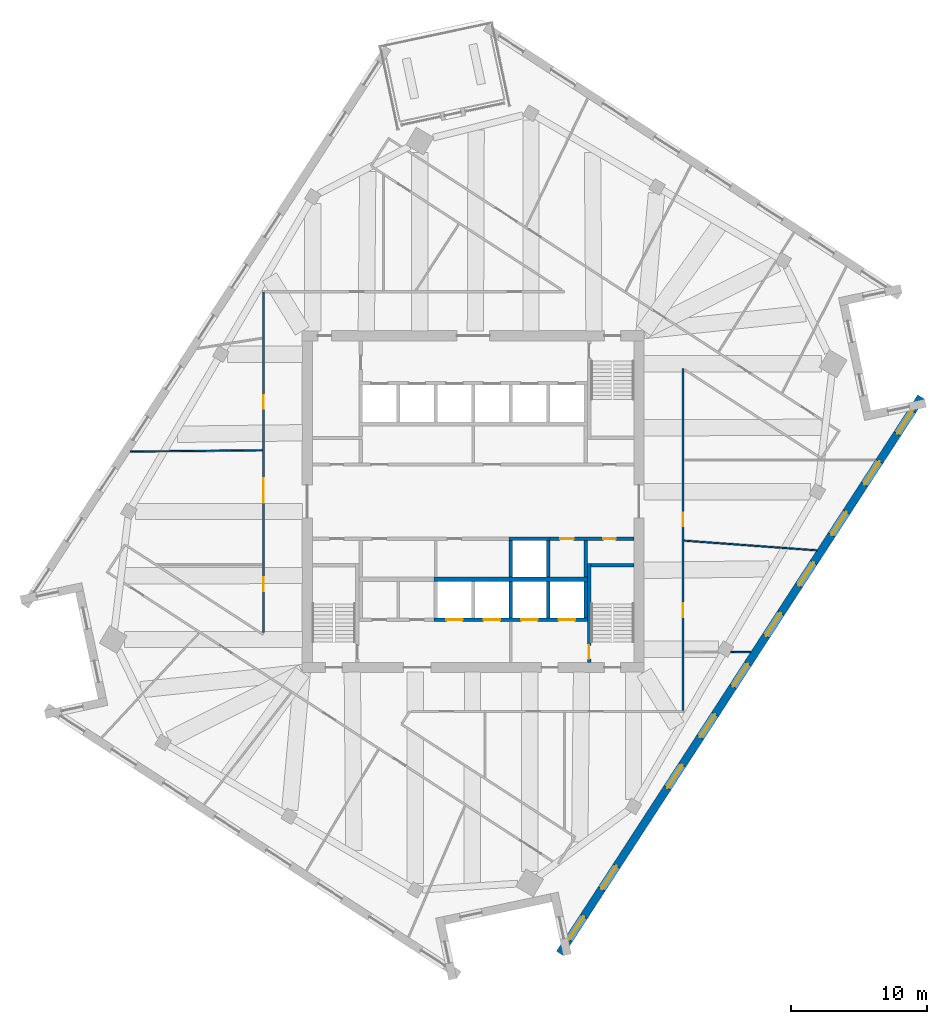
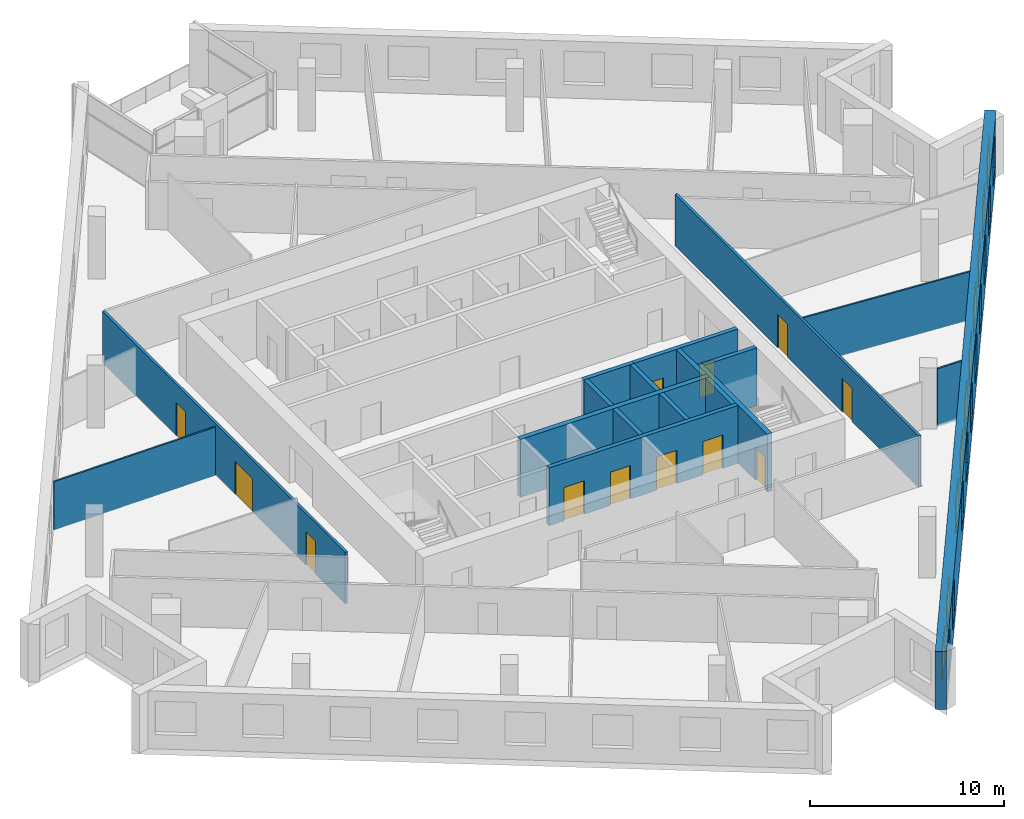
# One storey, part 7 of 12: 18 walls, 12 doors, 10 windows, 22 openings.
"""IFC4 building model written with IfcOpenShell, lengths in metres."""

from ifc_helpers import new_model, si_unit, direction, frame, frame_2d, origin, place, context, subcontext, project, spatial, rectangle, extrude, material, layer, layer_set, type_object, element, fill, save


model = new_model("IFC4")

# Units and contexts
model_context = context("Model", 3, precision=1e-05, world=origin(), true_north=direction((0.0, 1.0)))
body_context = subcontext(model_context, "Body", "Model", "MODEL_VIEW")
ifc_project = project(units=[si_unit("LENGTHUNIT", "METRE"), si_unit("AREAUNIT", "SQUARE_METRE"), si_unit("VOLUMEUNIT", "CUBIC_METRE"), si_unit("PLANEANGLEUNIT", "RADIAN"), si_unit("MASSUNIT", "GRAM", prefix="KILO")], contexts=[model_context])

# Site, building, storey
site_placement = place(None, origin())
site = spatial("IfcSite", under=ifc_project, at=site_placement, CompositionType="ELEMENT")
building_placement = place(site_placement, origin())
building = spatial("IfcBuilding", under=site, at=building_placement, Name="Dilmun Exchange Tower", CompositionType="ELEMENT")
storey_placement = place(building_placement, frame((0.0, 0.0, 254.89990234375)))
storey = spatial("IfcBuildingStorey", under=building, at=storey_placement, Name="L60", CompositionType="ELEMENT", Elevation=254.89990234375)

# Wall
ifc_material_1 = material(Name="Concrete C40/50", Category="concrete")
ifc_layer_1 = layer(ifc_material_1, 0.25)
ifc_layer_set_1 = layer_set([ifc_layer_1], Name="Concrete C40/50")
wall_type_1 = type_object("IfcWallType", Name="Core partition wall 250", PredefinedType="PARTITIONING", material=ifc_layer_set_1)
wall_1_placement = place(storey_placement, frame((8.25, -5.544921875, 0.0), z_axis=(0.0, 0.0, 1.0), x_axis=(0.0, 1.0, 0.0)))
element("IfcWall", 1, at=wall_1_placement, inside=storey, type_object=wall_type_1, Name="L60 core partition wall 08", PredefinedType="PARTITIONING", context=body_context, shape_type="SweptSolid", body=[
    extrude(rectangle(XDim=2.68994140625, YDim=0.25, at=frame_2d((1.344970703125, 0.0))), origin(), (0.0, 0.0, 1.0), 3.64013671875),
])

# Wall, openings, doors
wall_2_placement = place(storey_placement, frame((5.6298828125, -2.72509765625, 0.0), z_axis=(0.0, 0.0, 1.0), x_axis=(1.0, 0.0, 0.0)))
wall_2 = element("IfcWall", 2, at=wall_2_placement, inside=storey, type_object=wall_type_1, Name="L60 core partition wall 10", PredefinedType="PARTITIONING", context=body_context, shape_type="SweptSolid", body=[
    extrude(rectangle(XDim=6.1650390625, YDim=0.25, at=frame_2d((3.08251953125, 0.0))), origin(), (0.0, 0.0, 1.0), 3.64013671875),
])
opening_1_placement = place(wall_2_placement, frame((0.7451171875, 0.0, 0.0)))
opening_1 = element("IfcOpeningElement", 3, at=opening_1_placement, cuts=wall_2, Name="Opening CD4", PredefinedType="OPENING", context=body_context, shape_type="SweptSolid", body=[
    extrude(rectangle(XDim=1.0, YDim=2.10009765625, at=frame_2d((0.5, 1.050048828125))), frame((0.0, 0.135009765625, 0.0), z_axis=(0.0, -1.0, 0.0), x_axis=(1.0, 0.0, 0.0)), (0.0, 0.0, 1.0), 0.27001953125),
])
opening_2_placement = place(wall_2_placement, frame((3.919921875, 0.0, 0.0)))
opening_2 = element("IfcOpeningElement", 4, at=opening_2_placement, cuts=wall_2, Name="Opening CD6", PredefinedType="OPENING", context=body_context, shape_type="SweptSolid", body=[
    extrude(rectangle(XDim=0.89990234375, YDim=2.10009765625, at=frame_2d((0.449951171875, 1.050048828125))), frame((0.0, 0.135009765625, 0.0), z_axis=(0.0, -1.0, 0.0), x_axis=(1.0, 0.0, 0.0)), (0.0, 0.0, 1.0), 0.27001953125),
])
ifc_material_2 = material(Name="Fire-rated steel door set", Category="steel")
door_type_1 = type_object("IfcDoorType", Name="Core room door 1000x2100", OperationType="SINGLE_SWING_LEFT", PredefinedType="DOOR", material=ifc_material_2)
door_1_placement = place(opening_1_placement, origin())
door_1 = element("IfcDoor", 5, at=door_1_placement, inside=storey, type_object=door_type_1, Name="L60 door Cleaners' store", OperationType="SINGLE_SWING_LEFT", OverallHeight=2.10009765625, OverallWidth=1.0, PredefinedType="DOOR", context=body_context, shape_type="SweptSolid", body=[
    extrude(rectangle(XDim=1.0, YDim=2.10009765625, at=frame_2d((0.5, 1.050048828125))), frame((0.0, 0.02490234375, 0.0), z_axis=(0.0, -1.0, 0.0), x_axis=(1.0, 0.0, 0.0)), (0.0, 0.0, 1.0), 0.050048828125),
])
fill(opening_1, door_1)
door_type_2 = type_object("IfcDoorType", Name="Core room door 900x2100", OperationType="SINGLE_SWING_LEFT", PredefinedType="DOOR", material=ifc_material_2)
door_2_placement = place(opening_2_placement, origin())
door_2 = element("IfcDoor", 6, at=door_2_placement, inside=storey, type_object=door_type_2, Name="L60 door Comms riser", OperationType="SINGLE_SWING_LEFT", OverallHeight=2.10009765625, OverallWidth=0.89990234375, PredefinedType="DOOR", context=body_context, shape_type="SweptSolid", body=[
    extrude(rectangle(XDim=0.89990234375, YDim=2.10009765625, at=frame_2d((0.449951171875, 1.050048828125))), frame((0.0, 0.02490234375, 0.0), z_axis=(0.0, -1.0, 0.0), x_axis=(1.0, 0.0, 0.0)), (0.0, 0.0, 1.0), 0.050048828125),
])
fill(opening_2, door_2)

ifc_material_3 = material(Name="Corridor wall 150")
ifc_layer_2 = layer(ifc_material_3, 0.14990234375)
ifc_layer_set_2 = layer_set([ifc_layer_2], Name="Corridor wall 150")
wall_type_2 = type_object("IfcWallType", Name="Corridor wall 150", PredefinedType="PARTITIONING", material=ifc_layer_set_2)
wall_3_placement = place(storey_placement, frame((-15.39990234375, -9.618896484375, 0.0), z_axis=(0.0, 0.0, 1.0), x_axis=(0.0, 1.0, 0.0)))
wall_3 = element("IfcWall", 7, at=wall_3_placement, inside=storey, type_object=wall_type_2, Name="Corridor wall", PredefinedType="PARTITIONING", context=body_context, shape_type="SweptSolid", body=[
    extrude(rectangle(XDim=25.018798828125, YDim=0.14990234375, at=frame_2d((12.50927734375, 0.0))), origin(), (0.0, 0.0, 1.0), 3.239990234375),
])
opening_3_placement = place(wall_3_placement, frame((9.53173828125, 0.0, 0.0)))
opening_3 = element("IfcOpeningElement", 8, at=opening_3_placement, cuts=wall_3, Name="Opening TF60-D01", PredefinedType="OPENING", context=body_context, shape_type="SweptSolid", body=[
    extrude(rectangle(XDim=1.800048828125, YDim=2.10009765625, at=frame_2d((0.89990234375, 1.050048828125))), frame((0.0, 0.0849609375, 0.0), z_axis=(0.0, -1.0, 0.0), x_axis=(1.0, 0.0, 0.0)), (0.0, 0.0, 1.0), 0.169921875),
])
opening_4_placement = place(wall_3_placement, frame((16.4365234375, 0.0, 0.0)))
opening_4 = element("IfcOpeningElement", 9, at=opening_4_placement, cuts=wall_3, Name="Opening TF60-D04", PredefinedType="OPENING", context=body_context, shape_type="SweptSolid", body=[
    extrude(rectangle(XDim=1.0, YDim=2.10009765625, at=frame_2d((0.5, 1.050048828125))), frame((0.0, 0.0849609375, 0.0), z_axis=(0.0, -1.0, 0.0), x_axis=(1.0, 0.0, 0.0)), (0.0, 0.0, 1.0), 0.169921875),
])
opening_5_placement = place(wall_3_placement, frame((3.050048828125, 0.0, 0.0)))
opening_5 = element("IfcOpeningElement", 10, at=opening_5_placement, cuts=wall_3, Name="Opening TF60-D05", PredefinedType="OPENING", context=body_context, shape_type="SweptSolid", body=[
    extrude(rectangle(XDim=1.0, YDim=2.10009765625, at=frame_2d((0.5, 1.050048828125))), frame((0.0, 0.0849609375, 0.0), z_axis=(0.0, -1.0, 0.0), x_axis=(1.0, 0.0, 0.0)), (0.0, 0.0, 1.0), 0.169921875),
])
ifc_material_4 = material(Name="Fire door 1000 x 2100")
door_type_3 = type_object("IfcDoorType", Name="Fire door 1000 x 2100", OperationType="NOTDEFINED", PredefinedType="DOOR", material=ifc_material_4)
door_3_placement = place(opening_4_placement, origin())
door_3 = element("IfcDoor", 11, at=door_3_placement, inside=storey, type_object=door_type_3, Name="Door TF60-D04", OperationType="SINGLE_SWING_LEFT", OverallHeight=2.10009765625, OverallWidth=1.0, PredefinedType="DOOR", context=body_context, shape_type="SweptSolid", body=[
    extrude(rectangle(XDim=1.0, YDim=2.10009765625, at=frame_2d((0.5, 1.050048828125))), frame((0.0, 0.02490234375, 0.0), z_axis=(0.0, -1.0, 0.0), x_axis=(1.0, 0.0, 0.0)), (0.0, 0.0, 1.0), 0.050048828125),
])
fill(opening_4, door_3)
door_4_placement = place(opening_5_placement, origin())
door_4 = element("IfcDoor", 12, at=door_4_placement, inside=storey, type_object=door_type_3, Name="Door TF60-D05", OperationType="SINGLE_SWING_LEFT", OverallHeight=2.10009765625, OverallWidth=1.0, PredefinedType="DOOR", context=body_context, shape_type="SweptSolid", body=[
    extrude(rectangle(XDim=1.0, YDim=2.10009765625, at=frame_2d((0.5, 1.050048828125))), frame((0.0, 0.02490234375, 0.0), z_axis=(0.0, -1.0, 0.0), x_axis=(1.0, 0.0, 0.0)), (0.0, 0.0, 1.0), 0.050048828125),
])
fill(opening_5, door_4)
ifc_material_5 = material(Name="Fire door pair 1800 x 2100")
door_type_4 = type_object("IfcDoorType", Name="Fire door pair 1800 x 2100", OperationType="NOTDEFINED", PredefinedType="DOOR", material=ifc_material_5)
door_5_placement = place(opening_3_placement, origin())
door_5 = element("IfcDoor", 13, at=door_5_placement, inside=storey, type_object=door_type_4, Name="Door TF60-D01", OperationType="DOUBLE_DOOR_SINGLE_SWING", OverallHeight=2.10009765625, OverallWidth=1.800048828125, PredefinedType="DOOR", context=body_context, shape_type="SweptSolid", body=[
    extrude(rectangle(XDim=1.800048828125, YDim=2.10009765625, at=frame_2d((0.89990234375, 1.050048828125))), frame((0.0, 0.02490234375, 0.0), z_axis=(0.0, -1.0, 0.0), x_axis=(1.0, 0.0, 0.0)), (0.0, 0.0, 1.0), 0.050048828125),
])
fill(opening_3, door_5)

wall_4_placement = place(storey_placement, frame((15.39990234375, -15.324951171875, 0.0), z_axis=(0.0, 0.0, 1.0), x_axis=(0.0, 1.0, 0.0)))
wall_4 = element("IfcWall", 14, at=wall_4_placement, inside=storey, type_object=wall_type_2, Name="Corridor wall", PredefinedType="PARTITIONING", context=body_context, shape_type="SweptSolid", body=[
    extrude(rectangle(XDim=25.08203125, YDim=0.14990234375, at=frame_2d((12.541015625, 0.0))), origin(), (0.0, 0.0, 1.0), 3.239990234375),
])
opening_6_placement = place(wall_4_placement, frame((6.8466796875, 0.0, 0.0)))
opening_6 = element("IfcOpeningElement", 15, at=opening_6_placement, cuts=wall_4, Name="Opening TF60-D18", PredefinedType="OPENING", context=body_context, shape_type="SweptSolid", body=[
    extrude(rectangle(XDim=1.0, YDim=2.10009765625, at=frame_2d((0.5, 1.050048828125))), frame((0.0, 0.0849609375, 0.0), z_axis=(0.0, -1.0, 0.0), x_axis=(1.0, 0.0, 0.0)), (0.0, 0.0, 1.0), 0.169921875),
])
opening_7_placement = place(wall_4_placement, frame((13.51171875, 0.0, 0.0)))
opening_7 = element("IfcOpeningElement", 16, at=opening_7_placement, cuts=wall_4, Name="Opening TF60-D19", PredefinedType="OPENING", context=body_context, shape_type="SweptSolid", body=[
    extrude(rectangle(XDim=1.0, YDim=2.10009765625, at=frame_2d((0.5, 1.050048828125))), frame((0.0, 0.0849609375, 0.0), z_axis=(0.0, -1.0, 0.0), x_axis=(1.0, 0.0, 0.0)), (0.0, 0.0, 1.0), 0.169921875),
])
door_6_placement = place(opening_6_placement, frame((1.0, 0.0, 0.0), z_axis=(0.0, 0.0, 1.0), x_axis=(-1.0, 0.0, 0.0)))
door_6 = element("IfcDoor", 17, at=door_6_placement, inside=storey, type_object=door_type_3, Name="Door TF60-D18", OperationType="SINGLE_SWING_RIGHT", OverallHeight=2.10009765625, OverallWidth=1.0, PredefinedType="DOOR", context=body_context, shape_type="SweptSolid", body=[
    extrude(rectangle(XDim=1.0, YDim=2.10009765625, at=frame_2d((0.5, 1.050048828125))), frame((0.0, 0.02490234375, 0.0), z_axis=(0.0, -1.0, 0.0), x_axis=(1.0, 0.0, 0.0)), (0.0, 0.0, 1.0), 0.050048828125),
])
fill(opening_6, door_6)
door_7_placement = place(opening_7_placement, frame((1.0, 0.0, 0.0), z_axis=(0.0, 0.0, 1.0), x_axis=(-1.0, 0.0, 0.0)))
door_7 = element("IfcDoor", 18, at=door_7_placement, inside=storey, type_object=door_type_3, Name="Door TF60-D19", OperationType="SINGLE_SWING_LEFT", OverallHeight=2.10009765625, OverallWidth=1.0, PredefinedType="DOOR", context=body_context, shape_type="SweptSolid", body=[
    extrude(rectangle(XDim=1.0, YDim=2.10009765625, at=frame_2d((0.5, 1.050048828125))), frame((0.0, 0.02490234375, 0.0), z_axis=(0.0, -1.0, 0.0), x_axis=(1.0, 0.0, 0.0)), (0.0, 0.0, 1.0), 0.050048828125),
])
fill(opening_7, door_7)

# Walls
ifc_layer_3 = layer(ifc_material_1, 0.300048828125)
ifc_layer_set_3 = layer_set([ifc_layer_3], Name="Concrete C40/50")
wall_type_3 = type_object("IfcWallType", Name="Lift shaft shared wall 300", PredefinedType="SOLIDWALL", material=ifc_layer_set_3)
wall_5_placement = place(storey_placement, frame((-2.875, -5.699951171875, 0.0), z_axis=(0.0, 0.0, 1.0), x_axis=(1.0, 0.0, 0.0)))
element("IfcWall", 19, at=wall_5_placement, inside=storey, type_object=wall_type_3, Name="L60 lift shaft rear wall S", PredefinedType="SOLIDWALL", context=body_context, shape_type="SweptSolid", body=[
    extrude(rectangle(XDim=11.25, YDim=0.300048828125, at=frame_2d((5.625, 0.0))), origin(), (0.0, 0.0, 1.0), 3.64013671875),
])
ifc_layer_4 = layer(ifc_material_1, 0.25)
ifc_layer_set_4 = layer_set([ifc_layer_4], Name="Concrete C40/50")
wall_type_4 = type_object("IfcWallType", Name="Lift shaft wall 250", PredefinedType="SOLIDWALL", material=ifc_layer_set_4)
wall_6_placement = place(storey_placement, frame((2.625, -2.72509765625, 0.0), z_axis=(0.0, 0.0, 1.0), x_axis=(1.0, 0.0, 0.0)))
element("IfcWall", 20, at=wall_6_placement, inside=storey, type_object=wall_type_4, Name="L60 lift shaft front wall S1", PredefinedType="SOLIDWALL", context=body_context, shape_type="SweptSolid", body=[
    extrude(rectangle(XDim=3.0, YDim=0.25, at=frame_2d((1.5, 0.0))), origin(), (0.0, 0.0, 1.0), 3.64013671875),
])
for number, where, z_axis, x_axis, name in (
    (21, (2.75, -5.550048828125, 0.0), (0.0, 0.0, 1.0), (0.0, 1.0, 0.0), "L60 lift shaft divider S14"),
    (22, (5.5, -5.550048828125, 0.0), (0.0, 0.0, 1.0), (0.0, 1.0, 0.0), "L60 lift shaft divider S15"),
):
    element("IfcWall", number, at=place(storey_placement, frame(where, z_axis=z_axis, x_axis=x_axis)), inside=storey, type_object=wall_type_4, Name=name, PredefinedType="SOLIDWALL", context=body_context, shape_type="SweptSolid", body=[
        extrude(rectangle(XDim=2.699951171875, YDim=0.25, at=frame_2d((1.35009765625, 0.0))), origin(), (0.0, 0.0, 1.0), 3.64013671875),
    ])

# Wall, openings, doors
wall_7_placement = place(storey_placement, frame((-2.875, -8.675048828125, 0.0), z_axis=(0.0, 0.0, 1.0), x_axis=(1.0, 0.0, 0.0)))
wall_7 = element("IfcWall", 23, at=wall_7_placement, inside=storey, type_object=wall_type_4, Name="L60 lift shaft front wall S2", PredefinedType="SOLIDWALL", context=body_context, shape_type="SweptSolid", body=[
    extrude(rectangle(XDim=11.25, YDim=0.25, at=frame_2d((5.625, 0.0))), origin(), (0.0, 0.0, 1.0), 3.64013671875),
])
opening_8_placement = place(wall_7_placement, frame((0.89990234375, 0.0, 0.0)))
opening_8 = element("IfcOpeningElement", 24, at=opening_8_placement, cuts=wall_7, Name="Opening LD", PredefinedType="OPENING", context=body_context, shape_type="SweptSolid", body=[
    extrude(rectangle(XDim=1.199951171875, YDim=2.10009765625, at=frame_2d((0.60009765625, 1.050048828125))), frame((0.0, 0.135009765625, 0.0), z_axis=(0.0, -1.0, 0.0), x_axis=(1.0, 0.0, 0.0)), (0.0, 0.0, 1.0), 0.27001953125),
])
opening_9_placement = place(wall_7_placement, frame((3.64990234375, 0.0, 0.0)))
opening_9 = element("IfcOpeningElement", 25, at=opening_9_placement, cuts=wall_7, Name="Opening LD", PredefinedType="OPENING", context=body_context, shape_type="SweptSolid", body=[
    extrude(rectangle(XDim=1.199951171875, YDim=2.10009765625, at=frame_2d((0.60009765625, 1.050048828125))), frame((0.0, 0.135009765625, 0.0), z_axis=(0.0, -1.0, 0.0), x_axis=(1.0, 0.0, 0.0)), (0.0, 0.0, 1.0), 0.27001953125),
])
opening_10_placement = place(wall_7_placement, frame((6.39990234375, 0.0, 0.0)))
opening_10 = element("IfcOpeningElement", 26, at=opening_10_placement, cuts=wall_7, Name="Opening LD", PredefinedType="OPENING", context=body_context, shape_type="SweptSolid", body=[
    extrude(rectangle(XDim=1.199951171875, YDim=2.10009765625, at=frame_2d((0.60009765625, 1.050048828125))), frame((0.0, 0.135009765625, 0.0), z_axis=(0.0, -1.0, 0.0), x_axis=(1.0, 0.0, 0.0)), (0.0, 0.0, 1.0), 0.27001953125),
])
opening_11_placement = place(wall_7_placement, frame((9.14990234375, 0.0, 0.0)))
opening_11 = element("IfcOpeningElement", 27, at=opening_11_placement, cuts=wall_7, Name="Opening LD", PredefinedType="OPENING", context=body_context, shape_type="SweptSolid", body=[
    extrude(rectangle(XDim=1.199951171875, YDim=2.10009765625, at=frame_2d((0.60009765625, 1.050048828125))), frame((0.0, 0.135009765625, 0.0), z_axis=(0.0, -1.0, 0.0), x_axis=(1.0, 0.0, 0.0)), (0.0, 0.0, 1.0), 0.27001953125),
])
door_type_5 = type_object("IfcDoorType", Name="Lift landing door 1200x2100", OperationType="DOUBLE_DOOR_SLIDING", PredefinedType="DOOR", material=ifc_material_2)
door_8_placement = place(opening_8_placement, origin())
door_8 = element("IfcDoor", 28, at=door_8_placement, inside=storey, type_object=door_type_5, Name="L60 landing door SV1", OperationType="DOUBLE_DOOR_SLIDING", OverallHeight=2.10009765625, OverallWidth=1.199951171875, PredefinedType="DOOR", context=body_context, shape_type="SweptSolid", body=[
    extrude(rectangle(XDim=1.199951171875, YDim=2.10009765625, at=frame_2d((0.60009765625, 1.050048828125))), frame((0.0, 0.02490234375, 0.0), z_axis=(0.0, -1.0, 0.0), x_axis=(1.0, 0.0, 0.0)), (0.0, 0.0, 1.0), 0.050048828125),
])
fill(opening_8, door_8)
door_9_placement = place(opening_9_placement, origin())
door_9 = element("IfcDoor", 29, at=door_9_placement, inside=storey, type_object=door_type_5, Name="L60 landing door SV2", OperationType="DOUBLE_DOOR_SLIDING", OverallHeight=2.10009765625, OverallWidth=1.199951171875, PredefinedType="DOOR", context=body_context, shape_type="SweptSolid", body=[
    extrude(rectangle(XDim=1.199951171875, YDim=2.10009765625, at=frame_2d((0.60009765625, 1.050048828125))), frame((0.0, 0.02490234375, 0.0), z_axis=(0.0, -1.0, 0.0), x_axis=(1.0, 0.0, 0.0)), (0.0, 0.0, 1.0), 0.050048828125),
])
fill(opening_9, door_9)
door_10_placement = place(opening_10_placement, origin())
door_10 = element("IfcDoor", 30, at=door_10_placement, inside=storey, type_object=door_type_5, Name="L60 landing door FF1", OperationType="DOUBLE_DOOR_SLIDING", OverallHeight=2.10009765625, OverallWidth=1.199951171875, PredefinedType="DOOR", context=body_context, shape_type="SweptSolid", body=[
    extrude(rectangle(XDim=1.199951171875, YDim=2.10009765625, at=frame_2d((0.60009765625, 1.050048828125))), frame((0.0, 0.02490234375, 0.0), z_axis=(0.0, -1.0, 0.0), x_axis=(1.0, 0.0, 0.0)), (0.0, 0.0, 1.0), 0.050048828125),
])
fill(opening_10, door_10)
door_11_placement = place(opening_11_placement, origin())
door_11 = element("IfcDoor", 31, at=door_11_placement, inside=storey, type_object=door_type_5, Name="L60 landing door FF2", OperationType="DOUBLE_DOOR_SLIDING", OverallHeight=2.10009765625, OverallWidth=1.199951171875, PredefinedType="DOOR", context=body_context, shape_type="SweptSolid", body=[
    extrude(rectangle(XDim=1.199951171875, YDim=2.10009765625, at=frame_2d((0.60009765625, 1.050048828125))), frame((0.0, 0.02490234375, 0.0), z_axis=(0.0, -1.0, 0.0), x_axis=(1.0, 0.0, 0.0)), (0.0, 0.0, 1.0), 0.050048828125),
])
fill(opening_11, door_11)

# Walls
for number, where, z_axis, x_axis, name in (
    (32, (2.75, -8.550048828125, 0.0), (0.0, 0.0, 1.0), (0.0, 1.0, 0.0), "L60 lift shaft divider S24"),
    (33, (5.5, -8.550048828125, 0.0), (0.0, 0.0, 1.0), (0.0, 1.0, 0.0), "L60 lift shaft divider S25"),
    (34, (8.25, -8.550048828125, 0.0), (0.0, 0.0, 1.0), (0.0, 1.0, 0.0), "L60 lift shaft divider S26"),
):
    element("IfcWall", number, at=place(storey_placement, frame(where, z_axis=z_axis, x_axis=x_axis)), inside=storey, type_object=wall_type_4, Name=name, PredefinedType="SOLIDWALL", context=body_context, shape_type="SweptSolid", body=[
        extrude(rectangle(XDim=2.699951171875, YDim=0.25, at=frame_2d((1.35009765625, 0.0))), origin(), (0.0, 0.0, 1.0), 3.64013671875),
    ])
ifc_material_6 = material(Name="Partition 100")
ifc_layer_5 = layer(ifc_material_6, 0.10009765625)
ifc_layer_set_5 = layer_set([ifc_layer_5], Name="Partition 100")
wall_type_5 = type_object("IfcWallType", Name="Partition 100", PredefinedType="PARTITIONING", material=ifc_layer_set_5)
wall_8_placement = place(storey_placement, frame((-25.156982421875, 3.671142578125, 0.0), z_axis=(0.0, 0.0, 1.0), x_axis=(0.999950644633, 0.009935204993, 0.0)))
element("IfcWall", 35, at=wall_8_placement, inside=storey, type_object=wall_type_5, Name="Partition", PredefinedType="PARTITIONING", context=body_context, shape_type="SweptSolid", body=[
    extrude(rectangle(XDim=9.681884765625, YDim=0.10009765625, at=frame_2d((4.8408203125, 0.0))), origin(), (0.0, 0.0, 1.0), 3.0400390625),
])
wall_9_placement = place(storey_placement, frame((15.478759765625, -2.86572265625, 0.0), z_axis=(0.0, 0.0, 1.0), x_axis=(0.997329416564, -0.073034477181, 0.0)))
element("IfcWall", 36, at=wall_9_placement, inside=storey, type_object=wall_type_5, Name="Partition", PredefinedType="PARTITIONING", context=body_context, shape_type="SweptSolid", body=[
    extrude(rectangle(XDim=9.764404296875, YDim=0.10009765625, at=frame_2d((4.88232421875, 0.0))), origin(), (0.0, 0.0, 1.0), 3.0400390625),
])
wall_10_placement = place(storey_placement, frame((18.911865234375, -11.042724609375, 0.0), z_axis=(0.0, 0.0, 1.0), x_axis=(0.999990472014, -0.004365304277, 0.0)))
element("IfcWall", 37, at=wall_10_placement, inside=storey, type_object=wall_type_5, Name="Partition", PredefinedType="PARTITIONING", context=body_context, shape_type="SweptSolid", body=[
    extrude(rectangle(XDim=1.4541015625, YDim=0.10009765625, at=frame_2d((0.72705078125, 0.0))), origin(), (0.0, 0.0, 1.0), 3.64013671875),
])

# Wall, openings, windows
ifc_material_7 = material(Name="Precast concrete C50/60", Category="concrete")
ifc_layer_6 = layer(ifc_material_7, 0.60009765625)
ifc_layer_set_6 = layer_set([ifc_layer_6], Name="Precast concrete C50/60")
wall_type_6 = type_object("IfcWallType", Name="Precast stone-clad wall 600", PredefinedType="STANDARD", material=ifc_layer_set_6)
wall_11_placement = place(storey_placement, frame((6.36669921875, -33.160400390625, 0.0), z_axis=(0.0, 0.0, 1.0), x_axis=(0.544637371147, 0.838671648472, 0.0)))
wall_11 = element("IfcWall", 38, at=wall_11_placement, inside=storey, type_object=wall_type_6, Name="Facade wall L60-11", PredefinedType="STANDARD", context=body_context, shape_type="SweptSolid", body=[
    extrude(rectangle(XDim=48.686279296875, YDim=0.60009765625, at=frame_2d((24.34326171875, 0.0))), origin(), (0.0, 0.0, 1.0), 3.64013671875),
])
opening_12_placement = place(wall_11_placement, frame((1.212890625, 0.0, 0.89990234375)))
opening_12 = element("IfcOpeningElement", 39, at=opening_12_placement, cuts=wall_11, Name="Opening W200-210", PredefinedType="OPENING", context=body_context, shape_type="SweptSolid", body=[
    extrude(rectangle(XDim=2.0, YDim=2.10009765625, at=frame_2d((1.0, 1.050048828125))), frame((0.0, 0.31005859375, 0.0), z_axis=(0.0, -1.0, 0.0), x_axis=(1.0, 0.0, 0.0)), (0.0, 0.0, 1.0), 0.6201171875),
])
opening_13_placement = place(wall_11_placement, frame((5.638916015625, 0.0, 0.89990234375)))
opening_13 = element("IfcOpeningElement", 40, at=opening_13_placement, cuts=wall_11, Name="Opening W200-210", PredefinedType="OPENING", context=body_context, shape_type="SweptSolid", body=[
    extrude(rectangle(XDim=2.0, YDim=2.10009765625, at=frame_2d((1.0, 1.050048828125))), frame((0.0, 0.31005859375, 0.0), z_axis=(0.0, -1.0, 0.0), x_axis=(1.0, 0.0, 0.0)), (0.0, 0.0, 1.0), 0.6201171875),
])
opening_14_placement = place(wall_11_placement, frame((14.4912109375, 0.0, 0.89990234375)))
opening_14 = element("IfcOpeningElement", 41, at=opening_14_placement, cuts=wall_11, Name="Opening W200-210", PredefinedType="OPENING", context=body_context, shape_type="SweptSolid", body=[
    extrude(rectangle(XDim=2.0, YDim=2.10009765625, at=frame_2d((1.0, 1.050048828125))), frame((0.0, 0.31005859375, 0.0), z_axis=(0.0, -1.0, 0.0), x_axis=(1.0, 0.0, 0.0)), (0.0, 0.0, 1.0), 0.6201171875),
])
opening_15_placement = place(wall_11_placement, frame((18.9169921875, 0.0, 0.89990234375)))
opening_15 = element("IfcOpeningElement", 42, at=opening_15_placement, cuts=wall_11, Name="Opening W200-210", PredefinedType="OPENING", context=body_context, shape_type="SweptSolid", body=[
    extrude(rectangle(XDim=2.0, YDim=2.10009765625, at=frame_2d((1.0, 1.050048828125))), frame((0.0, 0.31005859375, 0.0), z_axis=(0.0, -1.0, 0.0), x_axis=(1.0, 0.0, 0.0)), (0.0, 0.0, 1.0), 0.6201171875),
])
opening_16_placement = place(wall_11_placement, frame((23.343017578125, 0.0, 0.89990234375)))
opening_16 = element("IfcOpeningElement", 43, at=opening_16_placement, cuts=wall_11, Name="Opening W200-210", PredefinedType="OPENING", context=body_context, shape_type="SweptSolid", body=[
    extrude(rectangle(XDim=2.0, YDim=2.10009765625, at=frame_2d((1.0, 1.050048828125))), frame((0.0, 0.31005859375, 0.0), z_axis=(0.0, -1.0, 0.0), x_axis=(1.0, 0.0, 0.0)), (0.0, 0.0, 1.0), 0.6201171875),
])
opening_17_placement = place(wall_11_placement, frame((27.769287109375, 0.0, 0.89990234375)))
opening_17 = element("IfcOpeningElement", 44, at=opening_17_placement, cuts=wall_11, Name="Opening W200-210", PredefinedType="OPENING", context=body_context, shape_type="SweptSolid", body=[
    extrude(rectangle(XDim=2.0, YDim=2.10009765625, at=frame_2d((1.0, 1.050048828125))), frame((0.0, 0.31005859375, 0.0), z_axis=(0.0, -1.0, 0.0), x_axis=(1.0, 0.0, 0.0)), (0.0, 0.0, 1.0), 0.6201171875),
])
opening_18_placement = place(wall_11_placement, frame((32.1953125, 0.0, 0.89990234375)))
opening_18 = element("IfcOpeningElement", 45, at=opening_18_placement, cuts=wall_11, Name="Opening W200-210", PredefinedType="OPENING", context=body_context, shape_type="SweptSolid", body=[
    extrude(rectangle(XDim=2.0, YDim=2.10009765625, at=frame_2d((1.0, 1.050048828125))), frame((0.0, 0.31005859375, 0.0), z_axis=(0.0, -1.0, 0.0), x_axis=(1.0, 0.0, 0.0)), (0.0, 0.0, 1.0), 0.6201171875),
])
opening_19_placement = place(wall_11_placement, frame((36.62109375, 0.0, 0.89990234375)))
opening_19 = element("IfcOpeningElement", 46, at=opening_19_placement, cuts=wall_11, Name="Opening W200-210", PredefinedType="OPENING", context=body_context, shape_type="SweptSolid", body=[
    extrude(rectangle(XDim=2.0, YDim=2.10009765625, at=frame_2d((1.0, 1.050048828125))), frame((0.0, 0.31005859375, 0.0), z_axis=(0.0, -1.0, 0.0), x_axis=(1.0, 0.0, 0.0)), (0.0, 0.0, 1.0), 0.6201171875),
])
opening_20_placement = place(wall_11_placement, frame((41.04736328125, 0.0, 0.89990234375)))
opening_20 = element("IfcOpeningElement", 47, at=opening_20_placement, cuts=wall_11, Name="Opening W200-210", PredefinedType="OPENING", context=body_context, shape_type="SweptSolid", body=[
    extrude(rectangle(XDim=2.0, YDim=2.10009765625, at=frame_2d((1.0, 1.050048828125))), frame((0.0, 0.31005859375, 0.0), z_axis=(0.0, -1.0, 0.0), x_axis=(1.0, 0.0, 0.0)), (0.0, 0.0, 1.0), 0.6201171875),
])
opening_21_placement = place(wall_11_placement, frame((45.473388671875, 0.0, 0.89990234375)))
opening_21 = element("IfcOpeningElement", 48, at=opening_21_placement, cuts=wall_11, Name="Opening W200-210", PredefinedType="OPENING", context=body_context, shape_type="SweptSolid", body=[
    extrude(rectangle(XDim=2.0, YDim=2.10009765625, at=frame_2d((1.0, 1.050048828125))), frame((0.0, 0.31005859375, 0.0), z_axis=(0.0, -1.0, 0.0), x_axis=(1.0, 0.0, 0.0)), (0.0, 0.0, 1.0), 0.6201171875),
])
ifc_material_8 = material(Name="Clear low-emissivity glass in aluminium frame", Category="aluminium")
window_type = type_object("IfcWindowType", Name="Punched window 2000 x 2100", PartitioningType="DOUBLE_PANEL_VERTICAL", PredefinedType="WINDOW", material=ifc_material_8)
window_1_placement = place(opening_12_placement, origin())
window_1 = element("IfcWindow", 49, at=window_1_placement, inside=storey, type_object=window_type, Name="Window 12.1", OverallHeight=2.10009765625, OverallWidth=2.0, PartitioningType="SINGLE_PANEL", PredefinedType="WINDOW", context=body_context, shape_type="SweptSolid", body=[
    extrude(rectangle(XDim=2.0, YDim=2.10009765625, at=frame_2d((1.0, 1.050048828125))), frame((0.0, 0.030029296875, 0.0), z_axis=(0.0, -1.0, 0.0), x_axis=(1.0, 0.0, 0.0)), (0.0, 0.0, 1.0), 0.06005859375),
])
fill(opening_12, window_1)
window_2_placement = place(opening_13_placement, origin())
window_2 = element("IfcWindow", 50, at=window_2_placement, inside=storey, type_object=window_type, Name="Window 12.2", OverallHeight=2.10009765625, OverallWidth=2.0, PartitioningType="SINGLE_PANEL", PredefinedType="WINDOW", context=body_context, shape_type="SweptSolid", body=[
    extrude(rectangle(XDim=2.0, YDim=2.10009765625, at=frame_2d((1.0, 1.050048828125))), frame((0.0, 0.030029296875, 0.0), z_axis=(0.0, -1.0, 0.0), x_axis=(1.0, 0.0, 0.0)), (0.0, 0.0, 1.0), 0.06005859375),
])
fill(opening_13, window_2)
window_3_placement = place(opening_14_placement, origin())
window_3 = element("IfcWindow", 51, at=window_3_placement, inside=storey, type_object=window_type, Name="Window 12.4", OverallHeight=2.10009765625, OverallWidth=2.0, PartitioningType="SINGLE_PANEL", PredefinedType="WINDOW", context=body_context, shape_type="SweptSolid", body=[
    extrude(rectangle(XDim=2.0, YDim=2.10009765625, at=frame_2d((1.0, 1.050048828125))), frame((0.0, 0.030029296875, 0.0), z_axis=(0.0, -1.0, 0.0), x_axis=(1.0, 0.0, 0.0)), (0.0, 0.0, 1.0), 0.06005859375),
])
fill(opening_14, window_3)
window_4_placement = place(opening_15_placement, origin())
window_4 = element("IfcWindow", 52, at=window_4_placement, inside=storey, type_object=window_type, Name="Window 12.5", OverallHeight=2.10009765625, OverallWidth=2.0, PartitioningType="SINGLE_PANEL", PredefinedType="WINDOW", context=body_context, shape_type="SweptSolid", body=[
    extrude(rectangle(XDim=2.0, YDim=2.10009765625, at=frame_2d((1.0, 1.050048828125))), frame((0.0, 0.030029296875, 0.0), z_axis=(0.0, -1.0, 0.0), x_axis=(1.0, 0.0, 0.0)), (0.0, 0.0, 1.0), 0.06005859375),
])
fill(opening_15, window_4)
window_5_placement = place(opening_16_placement, origin())
window_5 = element("IfcWindow", 53, at=window_5_placement, inside=storey, type_object=window_type, Name="Window 12.6", OverallHeight=2.10009765625, OverallWidth=2.0, PartitioningType="SINGLE_PANEL", PredefinedType="WINDOW", context=body_context, shape_type="SweptSolid", body=[
    extrude(rectangle(XDim=2.0, YDim=2.10009765625, at=frame_2d((1.0, 1.050048828125))), frame((0.0, 0.030029296875, 0.0), z_axis=(0.0, -1.0, 0.0), x_axis=(1.0, 0.0, 0.0)), (0.0, 0.0, 1.0), 0.06005859375),
])
fill(opening_16, window_5)
window_6_placement = place(opening_17_placement, origin())
window_6 = element("IfcWindow", 54, at=window_6_placement, inside=storey, type_object=window_type, Name="Window 12.7", OverallHeight=2.10009765625, OverallWidth=2.0, PartitioningType="SINGLE_PANEL", PredefinedType="WINDOW", context=body_context, shape_type="SweptSolid", body=[
    extrude(rectangle(XDim=2.0, YDim=2.10009765625, at=frame_2d((1.0, 1.050048828125))), frame((0.0, 0.030029296875, 0.0), z_axis=(0.0, -1.0, 0.0), x_axis=(1.0, 0.0, 0.0)), (0.0, 0.0, 1.0), 0.06005859375),
])
fill(opening_17, window_6)
window_7_placement = place(opening_18_placement, origin())
window_7 = element("IfcWindow", 55, at=window_7_placement, inside=storey, type_object=window_type, Name="Window 12.8", OverallHeight=2.10009765625, OverallWidth=2.0, PartitioningType="SINGLE_PANEL", PredefinedType="WINDOW", context=body_context, shape_type="SweptSolid", body=[
    extrude(rectangle(XDim=2.0, YDim=2.10009765625, at=frame_2d((1.0, 1.050048828125))), frame((0.0, 0.030029296875, 0.0), z_axis=(0.0, -1.0, 0.0), x_axis=(1.0, 0.0, 0.0)), (0.0, 0.0, 1.0), 0.06005859375),
])
fill(opening_18, window_7)
window_8_placement = place(opening_19_placement, origin())
window_8 = element("IfcWindow", 56, at=window_8_placement, inside=storey, type_object=window_type, Name="Window 12.9", OverallHeight=2.10009765625, OverallWidth=2.0, PartitioningType="SINGLE_PANEL", PredefinedType="WINDOW", context=body_context, shape_type="SweptSolid", body=[
    extrude(rectangle(XDim=2.0, YDim=2.10009765625, at=frame_2d((1.0, 1.050048828125))), frame((0.0, 0.030029296875, 0.0), z_axis=(0.0, -1.0, 0.0), x_axis=(1.0, 0.0, 0.0)), (0.0, 0.0, 1.0), 0.06005859375),
])
fill(opening_19, window_8)
window_9_placement = place(opening_20_placement, origin())
window_9 = element("IfcWindow", 57, at=window_9_placement, inside=storey, type_object=window_type, Name="Window 12.10", OverallHeight=2.10009765625, OverallWidth=2.0, PartitioningType="SINGLE_PANEL", PredefinedType="WINDOW", context=body_context, shape_type="SweptSolid", body=[
    extrude(rectangle(XDim=2.0, YDim=2.10009765625, at=frame_2d((1.0, 1.050048828125))), frame((0.0, 0.030029296875, 0.0), z_axis=(0.0, -1.0, 0.0), x_axis=(1.0, 0.0, 0.0)), (0.0, 0.0, 1.0), 0.06005859375),
])
fill(opening_20, window_9)
window_10_placement = place(opening_21_placement, origin())
window_10 = element("IfcWindow", 58, at=window_10_placement, inside=storey, type_object=window_type, Name="Window 12.11", OverallHeight=2.10009765625, OverallWidth=2.0, PartitioningType="SINGLE_PANEL", PredefinedType="WINDOW", context=body_context, shape_type="SweptSolid", body=[
    extrude(rectangle(XDim=2.0, YDim=2.10009765625, at=frame_2d((1.0, 1.050048828125))), frame((0.0, 0.030029296875, 0.0), z_axis=(0.0, -1.0, 0.0), x_axis=(1.0, 0.0, 0.0)), (0.0, 0.0, 1.0), 0.06005859375),
])
fill(opening_21, window_10)

# Wall
ifc_layer_7 = layer(ifc_material_1, 0.25)
ifc_layer_set_7 = layer_set([ifc_layer_7], Name="Concrete C40/50")
wall_type_7 = type_object("IfcWallType", Name="Stair end wall 250", PredefinedType="SOLIDWALL", material=ifc_layer_set_7)
wall_12_placement = place(storey_placement, frame((8.64990234375, -4.675048828125, 0.0), z_axis=(0.0, 0.0, 1.0), x_axis=(1.0, 0.0, 0.0)))
element("IfcWall", 59, at=wall_12_placement, inside=storey, type_object=wall_type_7, Name="L60 ST3 far wall", PredefinedType="SOLIDWALL", context=body_context, shape_type="SweptSolid", body=[
    extrude(rectangle(XDim=3.150146484375, YDim=0.25, at=frame_2d((1.5751953125, 0.0))), origin(), (0.0, 0.0, 1.0), 3.64013671875),
])

# Wall, opening, door
ifc_layer_8 = layer(ifc_material_1, 0.27490234375)
ifc_layer_set_8 = layer_set([ifc_layer_8], Name="Concrete C40/50")
wall_type_8 = type_object("IfcWallType", Name="Stair wall 275", PredefinedType="SOLIDWALL", material=ifc_layer_set_8)
wall_13_placement = place(storey_placement, frame((8.512451171875, -4.550048828125, 0.0), z_axis=(0.0, 0.0, 1.0), x_axis=(0.0, -1.0, 0.0)))
wall_13 = element("IfcWall", 60, at=wall_13_placement, inside=storey, type_object=wall_type_8, Name="L60 ST3 wall to lift block", PredefinedType="SOLIDWALL", context=body_context, shape_type="SweptSolid", body=[
    extrude(rectangle(XDim=7.25, YDim=0.27490234375, at=frame_2d((3.625, 0.0))), origin(), (0.0, 0.0, 1.0), 3.64013671875),
])
opening_22_placement = place(wall_13_placement, frame((6.0, 0.0, 0.0)))
opening_22 = element("IfcOpeningElement", 61, at=opening_22_placement, cuts=wall_13, Name="Opening CD4", PredefinedType="OPENING", context=body_context, shape_type="SweptSolid", body=[
    extrude(rectangle(XDim=1.0, YDim=2.10009765625, at=frame_2d((0.5, 1.050048828125))), frame((0.0, 0.1474609375, 0.0), z_axis=(0.0, -1.0, 0.0), x_axis=(1.0, 0.0, 0.0)), (0.0, 0.0, 1.0), 0.294921875),
])
door_12_placement = place(opening_22_placement, origin())
door_12 = element("IfcDoor", 62, at=door_12_placement, inside=storey, type_object=door_type_1, Name="L60 door ST3 from lobby", OperationType="SINGLE_SWING_LEFT", OverallHeight=2.10009765625, OverallWidth=1.0, PredefinedType="DOOR", context=body_context, shape_type="SweptSolid", body=[
    extrude(rectangle(XDim=1.0, YDim=2.10009765625, at=frame_2d((0.5, 1.050048828125))), frame((0.0, 0.02490234375, 0.0), z_axis=(0.0, -1.0, 0.0), x_axis=(1.0, 0.0, 0.0)), (0.0, 0.0, 1.0), 0.050048828125),
])
fill(opening_22, door_12)

save(model, "model.ifc")
